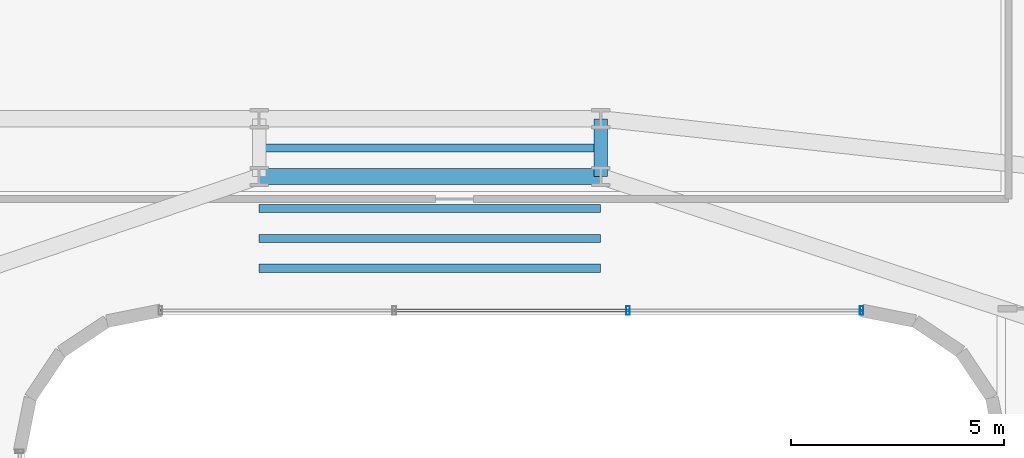
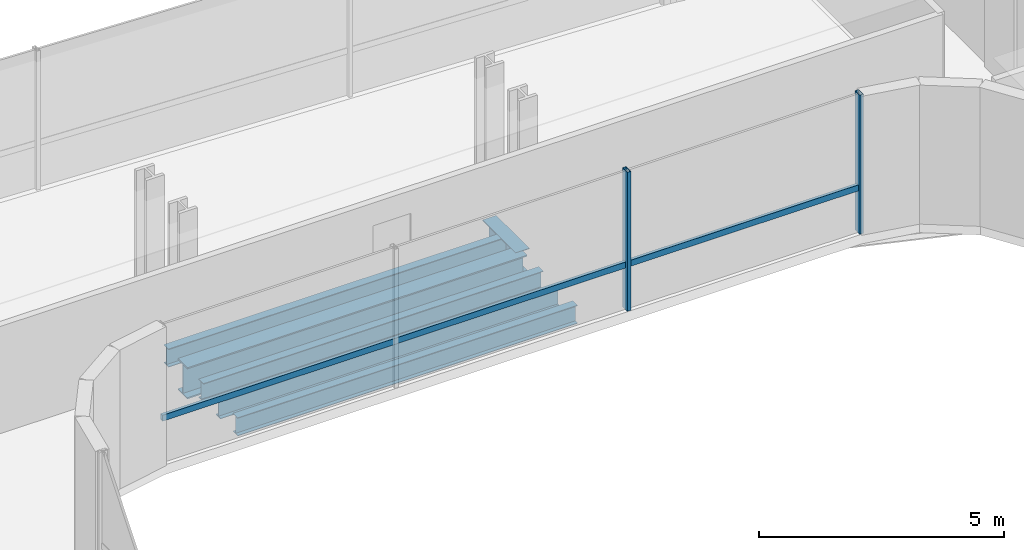
# One storey, part 15 of 34: 6 beams, 3 members, 1 element without a shape of its own.
"""IFC4 building model written with IfcOpenShell, lengths in metres."""

from ifc_helpers import new_model, si_unit, direction, frame, origin, origin_2d, place, context, subcontext, project, spatial, hollow_rectangle, i_section, extrude, source, transform, mapped, material, material_profile, profile_set, type_object, element, aggregate, save


model = new_model("IFC4")

# Units and contexts
model_context = context("Model", 3, precision=1e-05, world=origin(), true_north=direction((0.0, 1.0)))
body_context = subcontext(model_context, "Body", "Model", "MODEL_VIEW")
ifc_project = project(units=[si_unit("LENGTHUNIT", "METRE"), si_unit("AREAUNIT", "SQUARE_METRE"), si_unit("VOLUMEUNIT", "CUBIC_METRE"), si_unit("PLANEANGLEUNIT", "RADIAN"), si_unit("MASSUNIT", "GRAM", prefix="KILO")], contexts=[model_context])

# Site, building, storey
site_placement = place(None, origin())
site = spatial("IfcSite", under=ifc_project, at=site_placement, CompositionType="ELEMENT")
building_placement = place(site_placement, origin())
building = spatial("IfcBuilding", under=site, at=building_placement, Name="Valdorenza Pilgrim Sanctuary Tower", CompositionType="ELEMENT")
storey_placement = place(building_placement, frame((0.0, 0.0, 120.5)))
storey = spatial("IfcBuildingStorey", under=building, at=storey_placement, Name="L30", CompositionType="ELEMENT", Elevation=120.5)

# Beams
ifc_material_1 = material(Name="Steel ASTM A992 Grade 50", Category="steel")
ifc_material_profile_1 = material_profile(ifc_material_1, i_section(OverallWidth=0.323974609375, OverallDepth=0.611083984375, WebThickness=0.0126953125, FlangeThickness=0.01904296875, at=origin_2d()), Name="W24X104")
ifc_profile_set_1 = profile_set([ifc_material_profile_1], Name="Steel ASTM A992 Grade 50")
beam_type_1 = type_object("IfcBeamType", Name="STR-BM-GRD-W24B", PredefinedType="BEAM", material=ifc_profile_set_1)
shared_shape_1 = source(origin(), body_context, "Body", "SweptSolid", [
    extrude(i_section(OverallWidth=0.323974609375, OverallDepth=0.611083984375, WebThickness=0.0126953125, FlangeThickness=0.01904296875, at=origin_2d()), origin(), (0.0, 0.0, 1.0), 1.35009765625),
])
beam_1_placement = place(storey_placement, frame((4.0, 13.449951171875, -0.54541015625), z_axis=(0.0, 1.0, 0.0), x_axis=(-1.0, 0.0, 0.0)))
element("IfcBeam", 1, at=beam_1_placement, inside=storey, type_object=beam_type_1, Name="L30 Floor Girder KNK-TIE-E", PredefinedType="BEAM", context=body_context, shape_type="MappedRepresentation", body=[
    mapped(shared_shape_1, transform((0.0, 0.0, 0.0), x_axis=(1.0, 0.0, 0.0), y_axis=(0.0, 1.0, 0.0), z_axis=(0.0, 0.0, 1.0), scale=1.0)),
])
ifc_material_profile_2 = material_profile(ifc_material_1, i_section(OverallWidth=0.382080078125, OverallDepth=0.779052734375, WebThickness=0.01806640625, FlangeThickness=0.030029296875, at=origin_2d()), Name="W30X191")
ifc_profile_set_2 = profile_set([ifc_material_profile_2], Name="Steel ASTM A992 Grade 50")
beam_type_2 = type_object("IfcBeamType", Name="STR-BM-GRD-W30", PredefinedType="BEAM", material=ifc_profile_set_2)
shared_shape_2 = source(origin(), body_context, "Body", "SweptSolid", [
    extrude(i_section(OverallWidth=0.382080078125, OverallDepth=0.779052734375, WebThickness=0.01806640625, FlangeThickness=0.030029296875, at=origin_2d()), origin(), (0.0, 0.0, 1.0), 8.0),
])
beam_2_placement = place(storey_placement, frame((-4.0, 13.449951171875, -0.62939453125), z_axis=(1.0, 0.0, 0.0), x_axis=(0.0, 1.0, 0.0)))
element("IfcBeam", 2, at=beam_2_placement, inside=storey, type_object=beam_type_2, Name="L30 Floor Girder KNK-G2", PredefinedType="BEAM", context=body_context, shape_type="MappedRepresentation", body=[
    mapped(shared_shape_2, transform((0.0, 0.0, 0.0), x_axis=(1.0, 0.0, 0.0), y_axis=(0.0, 1.0, 0.0), z_axis=(0.0, 0.0, 1.0), scale=1.0)),
])
ifc_material_profile_3 = material_profile(ifc_material_1, i_section(OverallWidth=0.19091796875, OverallDepth=0.45703125, WebThickness=0.009033203125, FlangeThickness=0.014404296875, at=origin_2d()), Name="W18X50")
ifc_profile_set_3 = profile_set([ifc_material_profile_3], Name="Steel ASTM A992 Grade 50")
beam_type_3 = type_object("IfcBeamType", Name="STR-BM-JST-W18B", PredefinedType="JOIST", material=ifc_profile_set_3)
shared_shape_3 = source(origin(), body_context, "Body", "SweptSolid", [
    extrude(i_section(OverallWidth=0.19091796875, OverallDepth=0.45703125, WebThickness=0.009033203125, FlangeThickness=0.014404296875, at=origin_2d()), origin(), (0.0, 0.0, 1.0), 8.0),
])
for number, where, z_axis, x_axis, name in (
    (3, (-4.0, 11.300048828125, -0.468505859375), (1.0, 0.0, 0.0), (0.0, 1.0, 0.0), "L30 Knuckle Composite Joist JST-KNK-1"),
    (4, (-4.0, 12.0, -0.468505859375), (1.0, 0.0, 0.0), (0.0, 1.0, 0.0), "L30 Knuckle Composite Joist JST-KNK-2"),
    (5, (-4.0, 12.699951171875, -0.468505859375), (1.0, 0.0, 0.0), (0.0, 1.0, 0.0), "L30 Knuckle Composite Joist JST-KNK-3"),
    (6, (-4.0, 14.1201171875, -0.468505859375), (1.0, 0.0, 0.0), (0.0, 1.0, 0.0), "L30 Knuckle Composite Joist JST-KNK-4"),
):
    element("IfcBeam", number, at=place(storey_placement, frame(where, z_axis=z_axis, x_axis=x_axis)), inside=storey, type_object=beam_type_3, Name=name, PredefinedType="JOIST", context=body_context, shape_type="MappedRepresentation", body=[
        mapped(shared_shape_3, transform((0.0, 0.0, 0.0), x_axis=(1.0, 0.0, 0.0), y_axis=(0.0, 1.0, 0.0), z_axis=(0.0, 0.0, 1.0), scale=1.0)),
    ])

# Curtain wall, members
ifc_material_2 = material(Name="Curtain-wall IGU glazing", Category="glass")
curtain_wall_type = type_object("IfcCurtainWallType", Name="CW-SYS-02", PredefinedType="NOTDEFINED", material=ifc_material_2)
curtain_wall_placement = place(storey_placement, origin())
curtain_wall = element("IfcCurtainWall", 7, at=curtain_wall_placement, inside=storey, type_object=curtain_wall_type, Name="L30 Curtain Wall CW-L30-1-36", PredefinedType="NOTDEFINED")
ifc_material_3 = material(Name="Anodised aluminium AW-6060", Category="aluminium")
ifc_material_profile_4 = material_profile(ifc_material_3, hollow_rectangle(XDim=0.0849609375, YDim=0.199951171875, WallThickness=0.0048828125, at=origin_2d()), Name="ALU-M 200x85x5")
ifc_profile_set_4 = profile_set([ifc_material_profile_4], Name="Anodised aluminium AW-6060")
member_type_1 = type_object("IfcMemberType", Name="CW-MUL-02", PredefinedType="MULLION", material=ifc_profile_set_4)
shared_shape_4 = source(origin(), body_context, "Body", "SweptSolid", [
    extrude(hollow_rectangle(XDim=0.0849609375, YDim=0.199951171875, WallThickness=0.0048828125, at=origin_2d()), origin(), (0.0, 0.0, 1.0), 3.4599609375),
])
member_1_placement = place(storey_placement, frame((10.11083984375, 10.31005859375, 0.0), z_axis=(0.0, 0.0, 1.0), x_axis=(-1.0, 0.0, 0.0)))
member_1 = element("IfcMember", 8, at=member_1_placement, type_object=member_type_1, Name="CW-L30-1-36 Mullion 1", PredefinedType="MULLION", context=body_context, shape_type="MappedRepresentation", body=[
    mapped(shared_shape_4, transform((0.0, 0.0, 0.0), x_axis=(1.0, 0.0, 0.0), y_axis=(0.0, 1.0, 0.0), z_axis=(0.0, 0.0, 1.0), scale=1.0)),
])
member_2_placement = place(storey_placement, frame((4.636962890625, 10.31005859375, 0.0), z_axis=(0.0, 0.0, 1.0), x_axis=(-1.0, 0.0, 0.0)))
member_2 = element("IfcMember", 9, at=member_2_placement, type_object=member_type_1, Name="CW-L30-1-36 Mullion 2", PredefinedType="MULLION", context=body_context, shape_type="MappedRepresentation", body=[
    mapped(shared_shape_4, transform((0.0, 0.0, 0.0), x_axis=(1.0, 0.0, 0.0), y_axis=(0.0, 1.0, 0.0), z_axis=(0.0, 0.0, 1.0), scale=1.0)),
])
ifc_material_profile_5 = material_profile(ifc_material_3, hollow_rectangle(XDim=0.074951171875, YDim=0.14990234375, WallThickness=0.00390625, at=origin_2d()), Name="ALU-T 150x75x4")
ifc_profile_set_5 = profile_set([ifc_material_profile_5], Name="Anodised aluminium AW-6060")
member_type_2 = type_object("IfcMemberType", Name="CW-TRN-02", PredefinedType="USERDEFINED", material=ifc_profile_set_5)
shared_shape_5 = source(origin(), body_context, "Body", "SweptSolid", [
    extrude(hollow_rectangle(XDim=0.074951171875, YDim=0.14990234375, WallThickness=0.00390625, at=origin_2d()), origin(), (0.0, 0.0, 1.0), 16.421630859375),
])
member_3_placement = place(storey_placement, frame((10.11083984375, 10.31005859375, 1.1201171875), z_axis=(-1.0, 0.0, 0.0), x_axis=(0.0, -1.0, 0.0)))
member_3 = element("IfcMember", 10, at=member_3_placement, type_object=member_type_2, Name="CW-L30-1-36 Transom 1", ObjectType="TRANSOM", PredefinedType="USERDEFINED", context=body_context, shape_type="MappedRepresentation", body=[
    mapped(shared_shape_5, transform((0.0, 0.0, 0.0), x_axis=(1.0, 0.0, 0.0), y_axis=(0.0, 1.0, 0.0), z_axis=(0.0, 0.0, 1.0), scale=1.0)),
])
aggregate(curtain_wall, [member_1, member_2, member_3])

save(model, "model.ifc")
